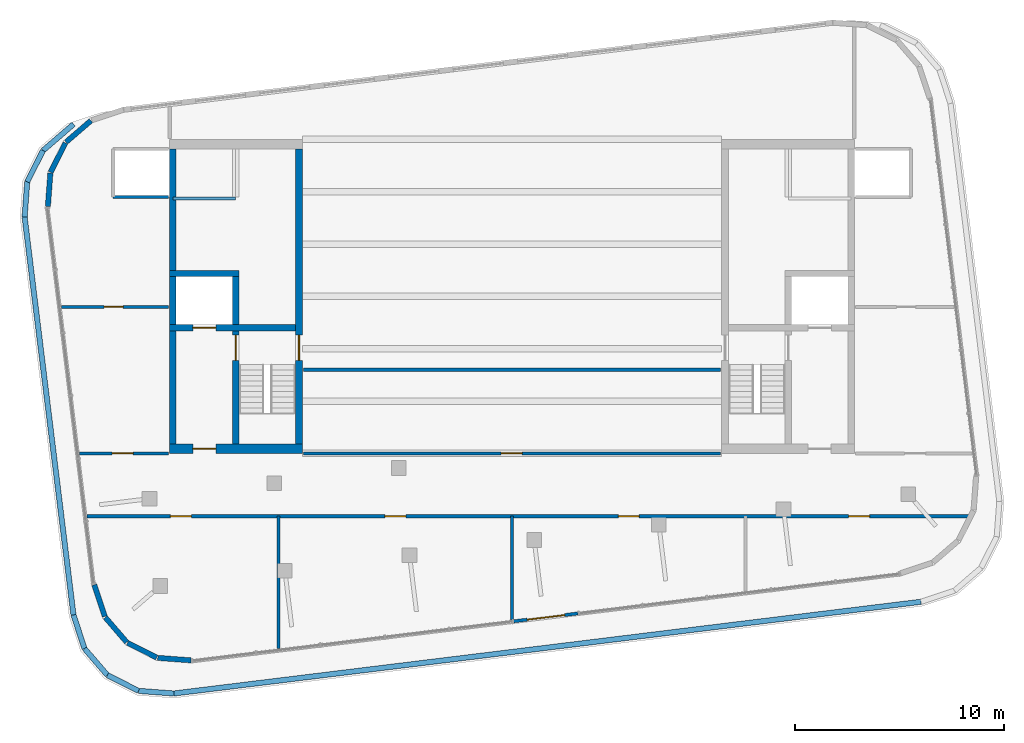
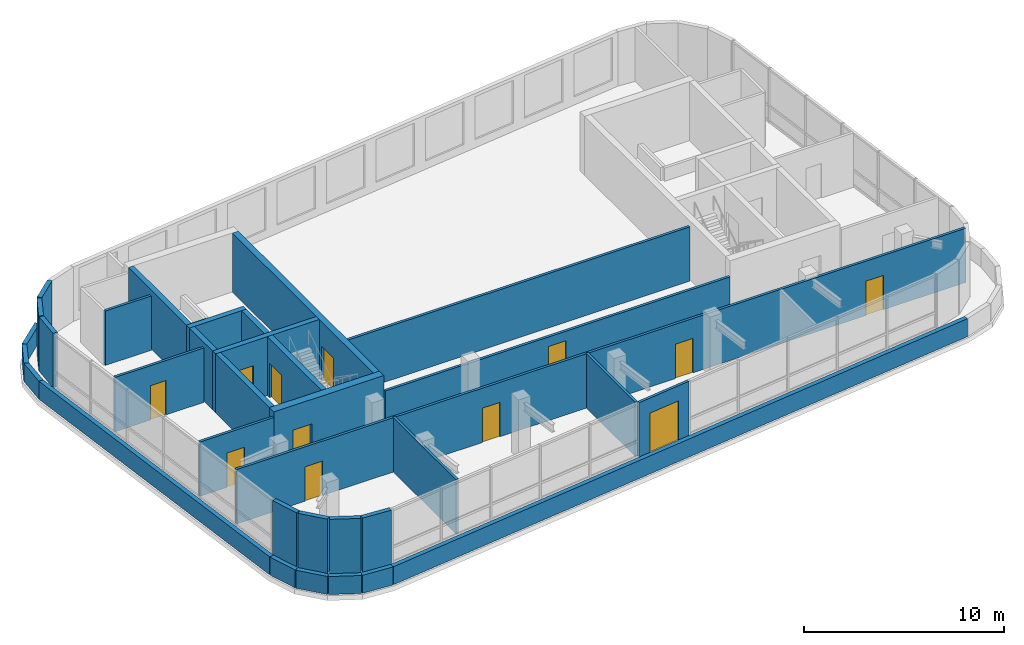
# One storey, part 5 of 8: 35 walls, 12 doors, 12 openings.
"""IFC4 building model written with IfcOpenShell, lengths in metres."""

from ifc_helpers import new_model, si_unit, direction, frame, frame_2d, origin, place, context, subcontext, project, spatial, rectangle, extrude, material, layer, layer_set, type_object, element, fill, save


model = new_model("IFC4")

# Units and contexts
model_context = context("Model", 3, precision=1e-05, world=origin(), true_north=direction((0.0, 1.0)))
body_context = subcontext(model_context, "Body", "Model", "MODEL_VIEW")
ifc_project = project(units=[si_unit("LENGTHUNIT", "METRE"), si_unit("AREAUNIT", "SQUARE_METRE"), si_unit("VOLUMEUNIT", "CUBIC_METRE"), si_unit("PLANEANGLEUNIT", "RADIAN"), si_unit("MASSUNIT", "GRAM", prefix="KILO")], contexts=[model_context])

# Site, building, storey
site_placement = place(None, origin())
site = spatial("IfcSite", under=ifc_project, at=site_placement, CompositionType="ELEMENT")
building_placement = place(site_placement, origin())
building = spatial("IfcBuilding", under=site, at=building_placement, Name="Torana Hotel and Residences", CompositionType="ELEMENT")
storey_placement = place(building_placement, frame((0.0, 0.0, 346.60009765625)))
storey = spatial("IfcBuildingStorey", under=building, at=storey_placement, Name="C1", CompositionType="ELEMENT", Elevation=346.60009765625)

# Walls
ifc_material_1 = material(Name="Concrete C50/60", Category="concrete")
ifc_layer_1 = layer(ifc_material_1, 0.300048828125)
ifc_layer_set_1 = layer_set([ifc_layer_1], Name="CORE WALL 300 C50/60")
wall_type_1 = type_object("IfcWallType", Name="CORE WALL 300 C50/60", PredefinedType="SHEAR", material=ifc_layer_set_1)
wall_1_placement = place(storey_placement, frame((-16.199951171875, -6.25, 0.0), z_axis=(0.0, 0.0, 1.0), x_axis=(0.0, 1.0, 0.0)))
element("IfcWall", 1, at=wall_1_placement, inside=storey, type_object=wall_type_1, Name="Core wall W outer-n", PredefinedType="SHEAR", context=body_context, shape_type="SweptSolid", body=[
    extrude(rectangle(XDim=5.800048828125, YDim=0.300048828125, at=frame_2d((2.89990234375, 0.0))), origin(), (0.0, 0.0, 1.0), 3.599853515625),
])
wall_2_placement = place(storey_placement, frame((-16.199951171875, -14.550048828125, 0.0), z_axis=(0.0, 0.0, 1.0), x_axis=(0.0, 1.0, 0.0)))
element("IfcWall", 2, at=wall_2_placement, inside=storey, type_object=wall_type_1, Name="Core wall W outer-s", PredefinedType="SHEAR", context=body_context, shape_type="SweptSolid", body=[
    extrude(rectangle(XDim=5.400146484375, YDim=0.300048828125, at=frame_2d((2.7001953125, 0.0))), origin(), (0.0, 0.0, 1.0), 3.599853515625),
])

# Wall, opening, door
wall_3_placement = place(storey_placement, frame((-16.35009765625, -9.0, 0.0), z_axis=(0.0, 0.0, 1.0), x_axis=(1.0, 0.0, 0.0)))
wall_3 = element("IfcWall", 3, at=wall_3_placement, inside=storey, type_object=wall_type_1, Name="Core wall W band", PredefinedType="SHEAR", context=body_context, shape_type="SweptSolid", body=[
    extrude(rectangle(XDim=6.0, YDim=0.300048828125, at=frame_2d((3.0, 0.0))), origin(), (0.0, 0.0, 1.0), 3.599853515625),
])
opening_1_placement = place(wall_3_placement, frame((1.10009765625, 0.0, 0.0)))
opening_1 = element("IfcOpeningElement", 4, at=opening_1_placement, cuts=wall_3, Name="Opening LD", PredefinedType="OPENING", context=body_context, shape_type="SweptSolid", body=[
    extrude(rectangle(XDim=1.10009765625, YDim=2.10009765625, at=frame_2d((0.550048828125, 1.050048828125))), frame((0.0, 0.159912109375, 0.0), z_axis=(0.0, -1.0, 0.0), x_axis=(1.0, 0.0, 0.0)), (0.0, 0.0, 1.0), 0.320068359375),
])
ifc_material_2 = material(Name="Stainless steel 316", Category="steel")
door_type_1 = type_object("IfcDoorType", Name="LIFT LANDING DOOR LD 1100x2100", OperationType="DOUBLE_DOOR_SLIDING", PredefinedType="USERDEFINED", material=ifc_material_2)
door_1_placement = place(opening_1_placement, origin())
door_1 = element("IfcDoor", 5, at=door_1_placement, inside=storey, type_object=door_type_1, Name="Lift landing door FF1 C1", ObjectType="LIFT LANDING DOOR", OperationType="DOUBLE_DOOR_SLIDING", OverallHeight=2.10009765625, OverallWidth=1.10009765625, PredefinedType="USERDEFINED", context=body_context, shape_type="SweptSolid", body=[
    extrude(rectangle(XDim=1.10009765625, YDim=2.10009765625, at=frame_2d((0.550048828125, 1.050048828125))), frame((0.0, 0.02490234375, 0.0), z_axis=(0.0, -1.0, 0.0), x_axis=(1.0, 0.0, 0.0)), (0.0, 0.0, 1.0), 0.050048828125),
])
fill(opening_1, door_1)

wall_4_placement = place(storey_placement, frame((-13.199951171875, -14.550048828125, 0.0), z_axis=(0.0, 0.0, 1.0), x_axis=(0.0, 1.0, 0.0)))
wall_4 = element("IfcWall", 6, at=wall_4_placement, inside=storey, type_object=wall_type_1, Name="Core wall W x3.05-band", PredefinedType="SHEAR", context=body_context, shape_type="SweptSolid", body=[
    extrude(rectangle(XDim=5.400146484375, YDim=0.300048828125, at=frame_2d((2.7001953125, 0.0))), origin(), (0.0, 0.0, 1.0), 3.599853515625),
])
opening_2_placement = place(wall_4_placement, frame((4.0, 0.0, 0.0)))
opening_2 = element("IfcOpeningElement", 7, at=opening_2_placement, cuts=wall_4, Name="Opening C1-03", PredefinedType="OPENING", context=body_context, shape_type="SweptSolid", body=[
    extrude(rectangle(XDim=1.199951171875, YDim=2.10009765625, at=frame_2d((0.60009765625, 1.050048828125))), frame((0.0, 0.159912109375, 0.0), z_axis=(0.0, -1.0, 0.0), x_axis=(1.0, 0.0, 0.0)), (0.0, 0.0, 1.0), 0.320068359375),
])
ifc_material_3 = material(Name="Steel S235", Category="steel")
door_type_2 = type_object("IfcDoorType", Name="STAIR FIRE DOOR D3 1200x2100", OperationType="SINGLE_SWING_LEFT", PredefinedType="DOOR", material=ifc_material_3)
door_2_placement = place(opening_2_placement, frame((0.60009765625, 0.0, 0.0), z_axis=(0.0, 0.0, 1.0), x_axis=(-1.0, 0.0, 0.0)))
door_2 = element("IfcDoor", 8, at=door_2_placement, inside=storey, type_object=door_type_2, Name="Stair-A-lobby door C1", OperationType="SINGLE_SWING_RIGHT", OverallHeight=2.10009765625, OverallWidth=1.199951171875, PredefinedType="DOOR", context=body_context, shape_type="SweptSolid", body=[
    extrude(rectangle(XDim=1.199951171875, YDim=2.10009765625, at=frame_2d((0.0, 1.050048828125))), frame((0.0, -0.02490234375, 0.0), z_axis=(0.0, 1.0, 0.0), x_axis=(-1.0, 0.0, 0.0)), (0.0, 0.0, 1.0), 0.050048828125),
])
fill(opening_2, door_2)

# Walls
wall_5_placement = place(storey_placement, frame((-16.35009765625, -6.39990234375, 0.0), z_axis=(0.0, 0.0, 1.0), x_axis=(1.0, 0.0, 0.0)))
element("IfcWall", 9, at=wall_5_placement, inside=storey, type_object=wall_type_1, Name="Core wall W row-S", PredefinedType="SHEAR", context=body_context, shape_type="SweptSolid", body=[
    extrude(rectangle(XDim=3.300048828125, YDim=0.300048828125, at=frame_2d((1.64990234375, 0.0))), origin(), (0.0, 0.0, 1.0), 3.599853515625),
])
for number, where, z_axis, x_axis, name in (
    (10, (-13.199951171875, -8.85009765625, 0.0), (0.0, 0.0, 1.0), (0.0, 1.0, 0.0), "Core wall W x3.05-S"),
    (11, (-16.199951171875, -8.85009765625, 0.0), (0.0, 0.0, 1.0), (0.0, 1.0, 0.0), "Core wall W x6.05-S"),
):
    element("IfcWall", number, at=place(storey_placement, frame(where, z_axis=z_axis, x_axis=x_axis)), inside=storey, type_object=wall_type_1, Name=name, PredefinedType="SHEAR", context=body_context, shape_type="SweptSolid", body=[
        extrude(rectangle(XDim=2.300048828125, YDim=0.300048828125, at=frame_2d((1.14990234375, 0.0))), origin(), (0.0, 0.0, 1.0), 3.599853515625),
    ])

# Wall, opening, door
ifc_material_4 = material(Name="Concrete C50/60", Category="concrete")
ifc_layer_2 = layer(ifc_material_4, 0.35009765625)
ifc_layer_set_2 = layer_set([ifc_layer_2], Name="CORE WALL 350 C50/60")
wall_type_2 = type_object("IfcWallType", Name="CORE WALL 350 C50/60", PredefinedType="SHEAR", material=ifc_layer_set_2)
wall_6_placement = place(storey_placement, frame((-10.175048828125, -14.550048828125, 0.0), z_axis=(0.0, 0.0, 1.0), x_axis=(0.0, 1.0, 0.0)))
wall_6 = element("IfcWall", 12, at=wall_6_placement, inside=storey, type_object=wall_type_2, Name="Core wall W arch", PredefinedType="SHEAR", context=body_context, shape_type="SweptSolid", body=[
    extrude(rectangle(XDim=14.10009765625, YDim=0.35009765625, at=frame_2d((7.050048828125, 0.0))), origin(), (0.0, 0.0, 1.0), 3.599853515625),
])
opening_3_placement = place(wall_6_placement, frame((4.0, 0.0, 0.0)))
opening_3 = element("IfcOpeningElement", 13, at=opening_3_placement, cuts=wall_6, Name="Opening C1-01", PredefinedType="OPENING", context=body_context, shape_type="SweptSolid", body=[
    extrude(rectangle(XDim=1.199951171875, YDim=2.10009765625, at=frame_2d((0.60009765625, 1.050048828125))), frame((0.0, 0.18505859375, 0.0), z_axis=(0.0, -1.0, 0.0), x_axis=(1.0, 0.0, 0.0)), (0.0, 0.0, 1.0), 0.3701171875),
])
door_3_placement = place(opening_3_placement, origin())
door_3 = element("IfcDoor", 14, at=door_3_placement, inside=storey, type_object=door_type_2, Name="Stair-A door C1", OperationType="SINGLE_SWING_LEFT", OverallHeight=2.10009765625, OverallWidth=1.199951171875, PredefinedType="DOOR", context=body_context, shape_type="SweptSolid", body=[
    extrude(rectangle(XDim=1.199951171875, YDim=2.10009765625, at=frame_2d((0.60009765625, 1.050048828125))), frame((0.0, 0.02490234375, 0.0), z_axis=(0.0, -1.0, 0.0), x_axis=(1.0, 0.0, 0.0)), (0.0, 0.0, 1.0), 0.050048828125),
])
fill(opening_3, door_3)

ifc_material_5 = material(Name="Concrete C50/60", Category="concrete")
ifc_layer_3 = layer(ifc_material_5, 0.449951171875)
ifc_layer_set_3 = layer_set([ifc_layer_3], Name="CORE WALL 450 C50/60")
wall_type_3 = type_object("IfcWallType", Name="CORE WALL 450 C50/60", PredefinedType="SHEAR", material=ifc_layer_set_3)
wall_7_placement = place(storey_placement, frame((-16.35009765625, -14.77490234375, 0.0), z_axis=(0.0, 0.0, 1.0), x_axis=(1.0, 0.0, 0.0)))
wall_7 = element("IfcWall", 15, at=wall_7_placement, inside=storey, type_object=wall_type_3, Name="Core wall W front", PredefinedType="SHEAR", context=body_context, shape_type="SweptSolid", body=[
    extrude(rectangle(XDim=6.35009765625, YDim=0.449951171875, at=frame_2d((3.175048828125, 0.0))), origin(), (0.0, 0.0, 1.0), 3.599853515625),
])
opening_4_placement = place(wall_7_placement, frame((1.10009765625, 0.0, 0.0)))
opening_4 = element("IfcOpeningElement", 16, at=opening_4_placement, cuts=wall_7, Name="Opening C1-02", PredefinedType="OPENING", context=body_context, shape_type="SweptSolid", body=[
    extrude(rectangle(XDim=1.10009765625, YDim=2.10009765625, at=frame_2d((0.550048828125, 1.050048828125))), frame((0.0, 0.23486328125, 0.0), z_axis=(0.0, -1.0, 0.0), x_axis=(1.0, 0.0, 0.0)), (0.0, 0.0, 1.0), 0.469970703125),
])
ifc_material_6 = material(Name="Steel S235", Category="steel")
door_type_3 = type_object("IfcDoorType", Name="FIRE-FIGHTING LOBBY DOOR D8 1100x2100", OperationType="SINGLE_SWING_LEFT", PredefinedType="DOOR", material=ifc_material_6)
door_4_placement = place(opening_4_placement, origin())
door_4 = element("IfcDoor", 17, at=door_4_placement, inside=storey, type_object=door_type_3, Name="FF-lobby door C1", OperationType="SINGLE_SWING_RIGHT", OverallHeight=2.10009765625, OverallWidth=1.10009765625, PredefinedType="DOOR", context=body_context, shape_type="SweptSolid", body=[
    extrude(rectangle(XDim=1.10009765625, YDim=2.10009765625, at=frame_2d((0.550048828125, 1.050048828125))), frame((0.0, 0.02490234375, 0.0), z_axis=(0.0, -1.0, 0.0), x_axis=(1.0, 0.0, 0.0)), (0.0, 0.0, 1.0), 0.050048828125),
])
fill(opening_4, door_4)

# Walls
ifc_material_7 = material(Name="Aluminium louvre wall", Category="aluminium")
ifc_layer_4 = layer(ifc_material_7, 0.25)
ifc_layer_set_4 = layer_set([ifc_layer_4], Name="EW3 LOUVRE WALL 250")
wall_type_4 = type_object("IfcWallType", Name="EW3 LOUVRE WALL 250", PredefinedType="SOLIDWALL", material=ifc_layer_set_4)
wall_8_placement = place(storey_placement, frame((-20.1171875, 0.8935546875, 0.0), z_axis=(0.0, 0.0, 1.0), x_axis=(-0.757614620138, -0.652702142905, 0.0)))
element("IfcWall", 18, at=wall_8_placement, inside=storey, type_object=wall_type_4, Name="Louvre wall C1 e0.6", PredefinedType="SOLIDWALL", context=body_context, shape_type="SweptSolid", body=[
    extrude(rectangle(XDim=1.566162109375, YDim=0.25, at=frame_2d((0.783203125, 0.0))), origin(), (0.0, 0.0, 1.0), 3.31982421875),
])
wall_9_placement = place(storey_placement, frame((-21.333740234375, -0.167236328125, 0.0), z_axis=(0.0, 0.0, 1.0), x_axis=(-0.450141479344, -0.892957249018, 0.0)))
element("IfcWall", 19, at=wall_9_placement, inside=storey, type_object=wall_type_4, Name="Louvre wall C1 e0.7", PredefinedType="SOLIDWALL", context=body_context, shape_type="SweptSolid", body=[
    extrude(rectangle(XDim=1.56640625, YDim=0.25, at=frame_2d((0.783203125, 0.0))), origin(), (0.0, 0.0, 1.0), 3.31982421875),
])
for number, where, z_axis, x_axis, name in (
    (20, (-22.0517578125, -1.61279296875, 0.0), (0.0, 0.0, 1.0), (-0.074103388081, -0.997250564239, 0.0), "Louvre wall C1 e0.8"),
    (21, (-19.949951171875, -21.2783203125, 0.0), (0.0, 0.0, 1.0), (0.313142234917, -0.949706239166, 0.0), "Louvre wall C1 e0.10"),
):
    element("IfcWall", number, at=place(storey_placement, frame(where, z_axis=z_axis, x_axis=x_axis)), inside=storey, type_object=wall_type_4, Name=name, PredefinedType="SOLIDWALL", context=body_context, shape_type="SweptSolid", body=[
        extrude(rectangle(XDim=1.59130859375, YDim=0.25, at=frame_2d((0.795654296875, 0.0))), origin(), (0.0, 0.0, 1.0), 3.31982421875),
    ])
wall_10_placement = place(storey_placement, frame((-19.427490234375, -22.83203125, 0.0), z_axis=(0.0, 0.0, 1.0), x_axis=(0.652702142905, -0.757614620138, 0.0)))
element("IfcWall", 22, at=wall_10_placement, inside=storey, type_object=wall_type_4, Name="Louvre wall C1 e0.11", PredefinedType="SOLIDWALL", context=body_context, shape_type="SweptSolid", body=[
    extrude(rectangle(XDim=1.566162109375, YDim=0.25, at=frame_2d((0.783203125, 0.0))), origin(), (0.0, 0.0, 1.0), 3.31982421875),
])
wall_11_placement = place(storey_placement, frame((-18.36669921875, -24.048583984375, 0.0), z_axis=(0.0, 0.0, 1.0), x_axis=(0.892957249018, -0.450141479344, 0.0)))
element("IfcWall", 23, at=wall_11_placement, inside=storey, type_object=wall_type_4, Name="Louvre wall C1 e0.12", PredefinedType="SOLIDWALL", context=body_context, shape_type="SweptSolid", body=[
    extrude(rectangle(XDim=1.56640625, YDim=0.25, at=frame_2d((0.783203125, 0.0))), origin(), (0.0, 0.0, 1.0), 3.31982421875),
])
wall_12_placement = place(storey_placement, frame((-16.921142578125, -24.7666015625, 0.0), z_axis=(0.0, 0.0, 1.0), x_axis=(0.997250564239, -0.074103388081, 0.0)))
element("IfcWall", 24, at=wall_12_placement, inside=storey, type_object=wall_type_4, Name="Louvre wall C1 e0.13", PredefinedType="SOLIDWALL", context=body_context, shape_type="SweptSolid", body=[
    extrude(rectangle(XDim=1.59130859375, YDim=0.25, at=frame_2d((0.795654296875, 0.0))), origin(), (0.0, 0.0, 1.0), 3.31982421875),
])

# Wall, openings, doors
ifc_material_8 = material(Name="Gypsum plaster")
ifc_layer_5 = layer(ifc_material_8, 0.014892578125, Name="Plaster", Category="finish")
ifc_material_9 = material(Name="Concrete blockwork", Category="masonry")
ifc_layer_6 = layer(ifc_material_9, 0.1201171875, Name="Blockwork", Category="structure")
ifc_layer_7 = layer(ifc_material_8, 0.014892578125, Name="Plaster", Category="finish")
ifc_layer_set_5 = layer_set([ifc_layer_5, ifc_layer_6, ifc_layer_7], Name="FIRE PARTITION 150 BLOCKWORK")
wall_type_5 = type_object("IfcWallType", Name="FIRE PARTITION 150 BLOCKWORK", PredefinedType="PARTITIONING", material=ifc_layer_set_5)
wall_13_placement = place(storey_placement, frame((-20.29931640625, -18.0, 0.0), z_axis=(0.0, 0.0, 1.0), x_axis=(1.0, 0.0, 0.0)))
wall_13 = element("IfcWall", 25, at=wall_13_placement, inside=storey, type_object=wall_type_5, Name="Partition C1", PredefinedType="PARTITIONING", context=body_context, shape_type="SweptSolid", body=[
    extrude(rectangle(XDim=42.145751953125, YDim=0.14990234375, at=frame_2d((21.07275390625, 0.0))), origin(), (0.0, 0.0, 1.0), 3.31982421875),
])
opening_5_placement = place(wall_13_placement, frame((3.9814453125, 0.0, 0.0)))
opening_5 = element("IfcOpeningElement", 26, at=opening_5_placement, cuts=wall_13, Name="Opening C1-08", PredefinedType="OPENING", context=body_context, shape_type="SweptSolid", body=[
    extrude(rectangle(XDim=1.0, YDim=2.10009765625, at=frame_2d((0.5, 1.050048828125))), frame((0.0, 0.0849609375, 0.0), z_axis=(0.0, -1.0, 0.0), x_axis=(1.0, 0.0, 0.0)), (0.0, 0.0, 1.0), 0.169921875),
])
opening_6_placement = place(wall_13_placement, frame((14.2294921875, 0.0, 0.0)))
opening_6 = element("IfcOpeningElement", 27, at=opening_6_placement, cuts=wall_13, Name="Opening C1-09", PredefinedType="OPENING", context=body_context, shape_type="SweptSolid", body=[
    extrude(rectangle(XDim=1.0, YDim=2.10009765625, at=frame_2d((0.5, 1.050048828125))), frame((0.0, 0.0849609375, 0.0), z_axis=(0.0, -1.0, 0.0), x_axis=(1.0, 0.0, 0.0)), (0.0, 0.0, 1.0), 0.169921875),
])
opening_7_placement = place(wall_13_placement, frame((25.37744140625, 0.0, 0.0)))
opening_7 = element("IfcOpeningElement", 28, at=opening_7_placement, cuts=wall_13, Name="Opening C1-10", PredefinedType="OPENING", context=body_context, shape_type="SweptSolid", body=[
    extrude(rectangle(XDim=1.0, YDim=2.10009765625, at=frame_2d((0.5, 1.050048828125))), frame((0.0, 0.0849609375, 0.0), z_axis=(0.0, -1.0, 0.0), x_axis=(1.0, 0.0, 0.0)), (0.0, 0.0, 1.0), 0.169921875),
])
opening_8_placement = place(wall_13_placement, frame((36.37744140625, 0.0, 0.0)))
opening_8 = element("IfcOpeningElement", 29, at=opening_8_placement, cuts=wall_13, Name="Opening C1-11", PredefinedType="OPENING", context=body_context, shape_type="SweptSolid", body=[
    extrude(rectangle(XDim=1.0, YDim=2.10009765625, at=frame_2d((0.5, 1.050048828125))), frame((0.0, 0.0849609375, 0.0), z_axis=(0.0, -1.0, 0.0), x_axis=(1.0, 0.0, 0.0)), (0.0, 0.0, 1.0), 0.169921875),
])
ifc_material_10 = material(Name="Steel S235", Category="steel")
door_type_4 = type_object("IfcDoorType", Name="ENTRY FIRE DOOR D6 1000x2100", OperationType="SINGLE_SWING_LEFT", PredefinedType="DOOR", material=ifc_material_10)
door_5_placement = place(opening_5_placement, frame((0.5, 0.0, 0.0), z_axis=(0.0, 0.0, 1.0), x_axis=(-1.0, 0.0, 0.0)))
door_5 = element("IfcDoor", 30, at=door_5_placement, inside=storey, type_object=door_type_4, Name="Door C1", OperationType="SINGLE_SWING_LEFT", OverallHeight=2.10009765625, OverallWidth=1.0, PredefinedType="DOOR", context=body_context, shape_type="SweptSolid", body=[
    extrude(rectangle(XDim=1.0, YDim=2.10009765625, at=frame_2d((0.0, 1.050048828125))), frame((0.0, -0.02490234375, 0.0), z_axis=(0.0, 1.0, 0.0), x_axis=(-1.0, 0.0, 0.0)), (0.0, 0.0, 1.0), 0.050048828125),
])
fill(opening_5, door_5)
door_6_placement = place(opening_6_placement, frame((0.5, 0.0, 0.0), z_axis=(0.0, 0.0, 1.0), x_axis=(-1.0, 0.0, 0.0)))
door_6 = element("IfcDoor", 31, at=door_6_placement, inside=storey, type_object=door_type_4, Name="Door C1", OperationType="SINGLE_SWING_LEFT", OverallHeight=2.10009765625, OverallWidth=1.0, PredefinedType="DOOR", context=body_context, shape_type="SweptSolid", body=[
    extrude(rectangle(XDim=1.0, YDim=2.10009765625, at=frame_2d((0.0, 1.050048828125))), frame((0.0, -0.02490234375, 0.0), z_axis=(0.0, 1.0, 0.0), x_axis=(-1.0, 0.0, 0.0)), (0.0, 0.0, 1.0), 0.050048828125),
])
fill(opening_6, door_6)
door_7_placement = place(opening_7_placement, frame((0.5, 0.0, 0.0), z_axis=(0.0, 0.0, 1.0), x_axis=(-1.0, 0.0, 0.0)))
door_7 = element("IfcDoor", 32, at=door_7_placement, inside=storey, type_object=door_type_4, Name="Door C1", OperationType="SINGLE_SWING_RIGHT", OverallHeight=2.10009765625, OverallWidth=1.0, PredefinedType="DOOR", context=body_context, shape_type="SweptSolid", body=[
    extrude(rectangle(XDim=1.0, YDim=2.10009765625, at=frame_2d((0.0, 1.050048828125))), frame((0.0, -0.02490234375, 0.0), z_axis=(0.0, 1.0, 0.0), x_axis=(-1.0, 0.0, 0.0)), (0.0, 0.0, 1.0), 0.050048828125),
])
fill(opening_7, door_7)
door_8_placement = place(opening_8_placement, frame((0.5, 0.0, 0.0), z_axis=(0.0, 0.0, 1.0), x_axis=(-1.0, 0.0, 0.0)))
door_8 = element("IfcDoor", 33, at=door_8_placement, inside=storey, type_object=door_type_4, Name="Door C1", OperationType="SINGLE_SWING_LEFT", OverallHeight=2.10009765625, OverallWidth=1.0, PredefinedType="DOOR", context=body_context, shape_type="SweptSolid", body=[
    extrude(rectangle(XDim=1.0, YDim=2.10009765625, at=frame_2d((0.0, 1.050048828125))), frame((0.0, -0.02490234375, 0.0), z_axis=(0.0, 1.0, 0.0), x_axis=(-1.0, 0.0, 0.0)), (0.0, 0.0, 1.0), 0.050048828125),
])
fill(opening_8, door_8)

# Wall, opening, door
wall_14_placement = place(storey_placement, frame((-20.667724609375, -15.0, 0.0), z_axis=(0.0, 0.0, 1.0), x_axis=(1.0, 0.0, 0.0)))
wall_14 = element("IfcWall", 34, at=wall_14_placement, inside=storey, type_object=wall_type_5, Name="Partition C1", PredefinedType="PARTITIONING", context=body_context, shape_type="SweptSolid", body=[
    extrude(rectangle(XDim=4.267822265625, YDim=0.14990234375, at=frame_2d((2.1337890625, 0.0))), origin(), (0.0, 0.0, 1.0), 3.31982421875),
])
opening_9_placement = place(wall_14_placement, frame((1.56884765625, 0.0, 0.0)))
opening_9 = element("IfcOpeningElement", 35, at=opening_9_placement, cuts=wall_14, Name="Opening C1-12", PredefinedType="OPENING", context=body_context, shape_type="SweptSolid", body=[
    extrude(rectangle(XDim=1.0, YDim=2.10009765625, at=frame_2d((0.5, 1.050048828125))), frame((0.0, 0.0849609375, 0.0), z_axis=(0.0, -1.0, 0.0), x_axis=(1.0, 0.0, 0.0)), (0.0, 0.0, 1.0), 0.169921875),
])
ifc_material_11 = material(Name="Steel S235", Category="steel")
door_type_5 = type_object("IfcDoorType", Name="CORE ROOM FIRE DOOR D14 1000x2100", OperationType="SINGLE_SWING_LEFT", PredefinedType="DOOR", material=ifc_material_11)
door_9_placement = place(opening_9_placement, origin())
door_9 = element("IfcDoor", 36, at=door_9_placement, inside=storey, type_object=door_type_5, Name="Door C1", OperationType="SINGLE_SWING_RIGHT", OverallHeight=2.10009765625, OverallWidth=1.0, PredefinedType="DOOR", context=body_context, shape_type="SweptSolid", body=[
    extrude(rectangle(XDim=1.0, YDim=2.10009765625, at=frame_2d((0.5, 1.050048828125))), frame((0.0, 0.02490234375, 0.0), z_axis=(0.0, -1.0, 0.0), x_axis=(1.0, 0.0, 0.0)), (0.0, 0.0, 1.0), 0.050048828125),
])
fill(opening_9, door_9)

wall_15_placement = place(storey_placement, frame((-9.949951171875, -15.0, 0.0), z_axis=(0.0, 0.0, 1.0), x_axis=(1.0, 0.0, 0.0)))
wall_15 = element("IfcWall", 37, at=wall_15_placement, inside=storey, type_object=wall_type_5, Name="Partition C1", PredefinedType="PARTITIONING", context=body_context, shape_type="SweptSolid", body=[
    extrude(rectangle(XDim=19.89990234375, YDim=0.14990234375, at=frame_2d((9.949951171875, 0.0))), origin(), (0.0, 0.0, 1.0), 2.683837890625),
])
opening_10_placement = place(wall_15_placement, frame((9.429931640625, 0.0, 0.0)))
opening_10 = element("IfcOpeningElement", 38, at=opening_10_placement, cuts=wall_15, Name="Opening C1-07", PredefinedType="OPENING", context=body_context, shape_type="SweptSolid", body=[
    extrude(rectangle(XDim=1.0, YDim=2.10009765625, at=frame_2d((0.5, 1.050048828125))), frame((0.0, 0.0849609375, 0.0), z_axis=(0.0, -1.0, 0.0), x_axis=(1.0, 0.0, 0.0)), (0.0, 0.0, 1.0), 0.169921875),
])
door_10_placement = place(opening_10_placement, origin())
door_10 = element("IfcDoor", 39, at=door_10_placement, inside=storey, type_object=door_type_4, Name="Door C1", OperationType="SINGLE_SWING_RIGHT", OverallHeight=2.10009765625, OverallWidth=1.0, PredefinedType="DOOR", context=body_context, shape_type="SweptSolid", body=[
    extrude(rectangle(XDim=1.0, YDim=2.10009765625, at=frame_2d((0.5, 1.050048828125))), frame((0.0, 0.02490234375, 0.0), z_axis=(0.0, -1.0, 0.0), x_axis=(1.0, 0.0, 0.0)), (0.0, 0.0, 1.0), 0.050048828125),
])
fill(opening_10, door_10)

# Wall
wall_16_placement = place(storey_placement, frame((-9.949951171875, -11.0, 0.0), z_axis=(0.0, 0.0, 1.0), x_axis=(1.0, 0.0, 0.0)))
element("IfcWall", 40, at=wall_16_placement, inside=storey, type_object=wall_type_5, Name="Partition C1", PredefinedType="PARTITIONING", context=body_context, shape_type="SweptSolid", body=[
    extrude(rectangle(XDim=19.89990234375, YDim=0.14990234375, at=frame_2d((9.949951171875, 0.0))), origin(), (0.0, 0.0, 1.0), 3.31982421875),
])

# Wall, opening, door
ifc_material_12 = material(Name="Dark glass screen in aluminium frame", Category="aluminium")
ifc_layer_8 = layer(ifc_material_12, 0.14990234375)
ifc_layer_set_6 = layer_set([ifc_layer_8], Name="GS1 GLAZED DOOR SCREEN 150")
wall_type_6 = type_object("IfcWallType", Name="GS1 GLAZED DOOR SCREEN 150", PredefinedType="USERDEFINED", material=ifc_layer_set_6)
wall_17_placement = place(storey_placement, frame((0.079345703125, -23.019775390625, 0.0), z_axis=(0.0, 0.0, 1.0), x_axis=(0.992542118074, 0.121902189684, 0.0)))
wall_17 = element("IfcWall", 41, at=wall_17_placement, inside=storey, type_object=wall_type_6, Name="Glazed door screen C1", ObjectType="GLAZED SCREEN", PredefinedType="USERDEFINED", context=body_context, shape_type="SweptSolid", body=[
    extrude(rectangle(XDim=3.100341796875, YDim=0.14990234375, at=frame_2d((1.55029296875, 0.0))), origin(), (0.0, 0.0, 1.0), 3.31982421875),
])
opening_11_placement = place(wall_17_placement, frame((0.650146484375, 0.0, 0.0)))
opening_11 = element("IfcOpeningElement", 42, at=opening_11_placement, cuts=wall_17, Name="Opening C1-E01", PredefinedType="OPENING", context=body_context, shape_type="SweptSolid", body=[
    extrude(rectangle(XDim=1.800048828125, YDim=2.39990234375, at=frame_2d((0.89990234375, 1.199951171875))), frame((0.0, 0.0849609375, 0.0), z_axis=(0.0, -1.0, 0.0), x_axis=(1.0, 0.0, 0.0)), (0.0, 0.0, 1.0), 0.169921875),
])
ifc_material_13 = material(Name="Dark glass in black aluminium frame", Category="aluminium")
door_type_6 = type_object("IfcDoorType", Name="DE2 TERRACE DOOR 1800x2400", OperationType="DOUBLE_DOOR_SINGLE_SWING", PredefinedType="DOOR", material=ifc_material_13)
door_11_placement = place(opening_11_placement, origin())
door_11 = element("IfcDoor", 43, at=door_11_placement, inside=storey, type_object=door_type_6, Name="Terrace door C1", OperationType="DOUBLE_DOOR_SINGLE_SWING", OverallHeight=2.39990234375, OverallWidth=1.800048828125, PredefinedType="DOOR", context=body_context, shape_type="SweptSolid", body=[
    extrude(rectangle(XDim=1.800048828125, YDim=2.39990234375, at=frame_2d((0.89990234375, 1.199951171875))), frame((0.0, 0.02490234375, 0.0), z_axis=(0.0, -1.0, 0.0), x_axis=(1.0, 0.0, 0.0)), (0.0, 0.0, 1.0), 0.050048828125),
])
fill(opening_11, door_11)

# Walls
ifc_material_14 = material(Name="Concrete C40/50", Category="concrete")
ifc_layer_9 = layer(ifc_material_14, 0.14990234375)
ifc_layer_set_7 = layer_set([ifc_layer_9], Name="LIFT SHAFT WALL 150")
wall_type_7 = type_object("IfcWallType", Name="LIFT SHAFT WALL 150", PredefinedType="PARTITIONING", material=ifc_layer_set_7)
wall_18_placement = place(storey_placement, frame((-16.199951171875, -2.824951171875, 0.0), z_axis=(0.0, 0.0, 1.0), x_axis=(1.0, 0.0, 0.0)))
element("IfcWall", 44, at=wall_18_placement, inside=storey, type_object=wall_type_7, Name="Lift shaft wall H2 C1", PredefinedType="PARTITIONING", context=body_context, shape_type="SweptSolid", body=[
    extrude(rectangle(XDim=3.0, YDim=0.14990234375, at=frame_2d((1.5, 0.0))), origin(), (0.0, 0.0, 1.0), 0.7998046875),
])
ifc_material_15 = material(Name="Gypsum plasterboard")
ifc_layer_10 = layer(ifc_material_15, 0.012451171875, Name="Plasterboard", Category="finish")
ifc_layer_11 = layer(ifc_material_15, 0.012451171875, Name="Plasterboard", Category="finish")
ifc_material_16 = material(Name="Steel S280GD", Category="steel")
ifc_layer_12 = layer(ifc_material_16, 0.10009765625, Name="Steel studs with mineral wool", Category="insulation")
ifc_layer_13 = layer(ifc_material_15, 0.012451171875, Name="Plasterboard", Category="finish")
ifc_layer_14 = layer(ifc_material_15, 0.012451171875, Name="Plasterboard", Category="finish")
ifc_layer_set_8 = layer_set([ifc_layer_10, ifc_layer_11, ifc_layer_12, ifc_layer_13, ifc_layer_14], Name="PARTITION 150 PLASTERBOARD")
wall_type_8 = type_object("IfcWallType", Name="PARTITION 150 PLASTERBOARD", PredefinedType="PARTITIONING", material=ifc_layer_set_8)
wall_19_placement = place(storey_placement, frame((0.0, -22.94873046875, 0.0), z_axis=(0.0, 0.0, 1.0), x_axis=(0.0, 1.0, 0.0)))
element("IfcWall", 45, at=wall_19_placement, inside=storey, type_object=wall_type_8, Name="Partition C1", PredefinedType="PARTITIONING", context=body_context, shape_type="SweptSolid", body=[
    extrude(rectangle(XDim=4.94873046875, YDim=0.14990234375, at=frame_2d((2.474365234375, 0.0))), origin(), (0.0, 0.0, 1.0), 3.31982421875),
])
wall_20_placement = place(storey_placement, frame((-11.14794921875, -24.3173828125, 0.0), z_axis=(0.0, 0.0, 1.0), x_axis=(0.0, 1.0, 0.0)))
element("IfcWall", 46, at=wall_20_placement, inside=storey, type_object=wall_type_8, Name="Partition C1", PredefinedType="PARTITIONING", context=body_context, shape_type="SweptSolid", body=[
    extrude(rectangle(XDim=6.3173828125, YDim=0.14990234375, at=frame_2d((3.15869140625, 0.0))), origin(), (0.0, 0.0, 1.0), 3.31982421875),
])

# Wall, opening, door
wall_21_placement = place(storey_placement, frame((-21.527099609375, -8.0, 0.0), z_axis=(0.0, 0.0, 1.0), x_axis=(1.0, 0.0, 0.0)))
wall_21 = element("IfcWall", 47, at=wall_21_placement, inside=storey, type_object=wall_type_8, Name="Partition C1", PredefinedType="PARTITIONING", context=body_context, shape_type="SweptSolid", body=[
    extrude(rectangle(XDim=5.127197265625, YDim=0.14990234375, at=frame_2d((2.5634765625, 0.0))), origin(), (0.0, 0.0, 1.0), 3.31982421875),
])
opening_12_placement = place(wall_21_placement, frame((2.048095703125, 0.0, 0.0)))
opening_12 = element("IfcOpeningElement", 48, at=opening_12_placement, cuts=wall_21, Name="Opening C1-13", PredefinedType="OPENING", context=body_context, shape_type="SweptSolid", body=[
    extrude(rectangle(XDim=0.89990234375, YDim=2.10009765625, at=frame_2d((0.449951171875, 1.050048828125))), frame((0.0, 0.0849609375, 0.0), z_axis=(0.0, -1.0, 0.0), x_axis=(1.0, 0.0, 0.0)), (0.0, 0.0, 1.0), 0.169921875),
])
ifc_material_17 = material(Name="Timber door, oiled ash", Category="wood")
door_type_7 = type_object("IfcDoorType", Name="ROOM DOOR D7 900x2100", OperationType="SINGLE_SWING_LEFT", PredefinedType="DOOR", material=ifc_material_17)
door_12_placement = place(opening_12_placement, origin())
door_12 = element("IfcDoor", 49, at=door_12_placement, inside=storey, type_object=door_type_7, Name="Door C1", OperationType="SINGLE_SWING_RIGHT", OverallHeight=2.10009765625, OverallWidth=0.89990234375, PredefinedType="DOOR", context=body_context, shape_type="SweptSolid", body=[
    extrude(rectangle(XDim=0.89990234375, YDim=2.10009765625, at=frame_2d((0.449951171875, 1.050048828125))), frame((0.0, 0.02490234375, 0.0), z_axis=(0.0, -1.0, 0.0), x_axis=(1.0, 0.0, 0.0)), (0.0, 0.0, 1.0), 0.050048828125),
])
fill(opening_12, door_12)

# Walls
wall_22_placement = place(storey_placement, frame((-19.050048828125, -2.75, 0.0), z_axis=(0.0, 0.0, 1.0), x_axis=(1.0, 0.0, 0.0)))
element("IfcWall", 50, at=wall_22_placement, inside=storey, type_object=wall_type_8, Name="Partition C1", PredefinedType="PARTITIONING", context=body_context, shape_type="SweptSolid", body=[
    extrude(rectangle(XDim=2.650146484375, YDim=0.14990234375, at=frame_2d((1.3251953125, 0.0))), origin(), (0.0, 0.0, 1.0), 3.31982421875),
])
ifc_material_18 = material(Name="Aluminium coping with drip", Category="aluminium")
ifc_layer_15 = layer(ifc_material_18, 0.0029296875, Name="Coping flashing", Category="flashing")
ifc_material_19 = material(Name="Concrete C40/50 precast", Category="concrete")
ifc_layer_16 = layer(ifc_material_19, 0.00390625, Name="Cladding", Category="cladding")
ifc_material_20 = material(Name="Concrete C40/50", Category="concrete")
ifc_layer_17 = layer(ifc_material_20, 0.199951171875, Name="Wall", Category="structure")
ifc_material_21 = material(Name="Mineral wool insulation")
ifc_layer_18 = layer(ifc_material_21, 0.0400390625, Name="Insulation", Category="insulation")
ifc_material_22 = material(Name="Waterproofing upstand")
ifc_layer_19 = layer(ifc_material_22, 0.0029296875, Name="Upstand membrane", Category="membrane")
ifc_layer_set_9 = layer_set([ifc_layer_15, ifc_layer_16, ifc_layer_17, ifc_layer_18, ifc_layer_19], Name="PP1 PARAPET 250")
wall_type_9 = type_object("IfcWallType", Name="PP1 PARAPET 250", PredefinedType="PARAPET", material=ifc_layer_set_9)
wall_23_placement = place(storey_placement, frame((19.535888671875, -22.085693359375, 0.0), z_axis=(0.0, 0.0, 1.0), x_axis=(-0.99254678395, -0.121864193557, 0.0)))
element("IfcWall", 51, at=wall_23_placement, inside=storey, type_object=wall_type_9, Name="Roof parapet C1 9", PredefinedType="PARAPET", context=body_context, shape_type="SweptSolid", body=[
    extrude(rectangle(XDim=35.956787109375, YDim=0.25, at=frame_2d((17.978515625, 0.0))), origin(), (0.0, 0.0, 1.0), 1.099853515625),
])
wall_24_placement = place(storey_placement, frame((-16.15283203125, -26.467529296875, 0.0), z_axis=(0.0, 0.0, 1.0), x_axis=(-0.997251573969, 0.074089798327, 0.0)))
element("IfcWall", 52, at=wall_24_placement, inside=storey, type_object=wall_type_9, Name="Roof parapet C1 10", PredefinedType="PARAPET", context=body_context, shape_type="SweptSolid", body=[
    extrude(rectangle(XDim=1.6904296875, YDim=0.25, at=frame_2d((0.84521484375, 0.0))), origin(), (0.0, 0.0, 1.0), 1.099853515625),
])
for number, where, z_axis, x_axis, name in (
    (53, (-17.838623046875, -26.34228515625, 0.0), (0.0, 0.0, 1.0), (-0.892959015003, 0.450137976098, 0.0), "Roof parapet C1 11"),
    (54, (-19.328369140625, -25.59130859375, 0.0), (0.0, 0.0, 1.0), (-0.652693518333, 0.757622050316, 0.0), "Roof parapet C1 12"),
):
    element("IfcWall", number, at=place(storey_placement, frame(where, z_axis=z_axis, x_axis=x_axis)), inside=storey, type_object=wall_type_9, Name=name, PredefinedType="PARAPET", context=body_context, shape_type="SweptSolid", body=[
        extrude(rectangle(XDim=1.668212890625, YDim=0.25, at=frame_2d((0.833984375, 0.0))), origin(), (0.0, 0.0, 1.0), 1.099853515625),
    ])
wall_25_placement = place(storey_placement, frame((-20.417236328125, -24.327392578125, 0.0), z_axis=(0.0, 0.0, 1.0), x_axis=(-0.313149495959, 0.949703844986, 0.0)))
element("IfcWall", 55, at=wall_25_placement, inside=storey, type_object=wall_type_9, Name="Roof parapet C1 13", PredefinedType="PARAPET", context=body_context, shape_type="SweptSolid", body=[
    extrude(rectangle(XDim=1.690185546875, YDim=0.25, at=frame_2d((0.84521484375, 0.0))), origin(), (0.0, 0.0, 1.0), 1.099853515625),
])
wall_26_placement = place(storey_placement, frame((-20.946533203125, -22.72216796875, 0.0), z_axis=(0.0, 0.0, 1.0), x_axis=(-0.12187456146, 0.992545510931, 0.0)))
element("IfcWall", 56, at=wall_26_placement, inside=storey, type_object=wall_type_9, Name="Roof parapet C1 14", PredefinedType="PARAPET", context=body_context, shape_type="SweptSolid", body=[
    extrude(rectangle(XDim=19.15673828125, YDim=0.25, at=frame_2d((9.578369140625, 0.0))), origin(), (0.0, 0.0, 1.0), 1.099853515625),
])
wall_27_placement = place(storey_placement, frame((-23.28125, -3.708251953125, 0.0), z_axis=(0.0, 0.0, 1.0), x_axis=(0.074089798327, 0.997251573969, 0.0)))
element("IfcWall", 57, at=wall_27_placement, inside=storey, type_object=wall_type_9, Name="Roof parapet C1 15", PredefinedType="PARAPET", context=body_context, shape_type="SweptSolid", body=[
    extrude(rectangle(XDim=1.6904296875, YDim=0.25, at=frame_2d((0.84521484375, 0.0))), origin(), (0.0, 0.0, 1.0), 1.099853515625),
])
wall_28_placement = place(storey_placement, frame((-23.156005859375, -2.0224609375, 0.0), z_axis=(0.0, 0.0, 1.0), x_axis=(0.450137976098, 0.892959015003, 0.0)))
element("IfcWall", 58, at=wall_28_placement, inside=storey, type_object=wall_type_9, Name="Roof parapet C1 16", PredefinedType="PARAPET", context=body_context, shape_type="SweptSolid", body=[
    extrude(rectangle(XDim=1.668212890625, YDim=0.25, at=frame_2d((0.833984375, 0.0))), origin(), (0.0, 0.0, 1.0), 1.099853515625),
])
wall_29_placement = place(storey_placement, frame((-22.405029296875, -0.53271484375, 0.0), z_axis=(0.0, 0.0, 1.0), x_axis=(0.75760388344, 0.652714605166, 0.0)))
element("IfcWall", 59, at=wall_29_placement, inside=storey, type_object=wall_type_9, Name="Roof parapet C1 17", PredefinedType="PARAPET", context=body_context, shape_type="SweptSolid", body=[
    extrude(rectangle(XDim=1.931884765625, YDim=0.25, at=frame_2d((0.9658203125, 0.0))), origin(), (0.0, 0.0, 1.0), 1.099853515625),
])

save(model, "model.ifc")
